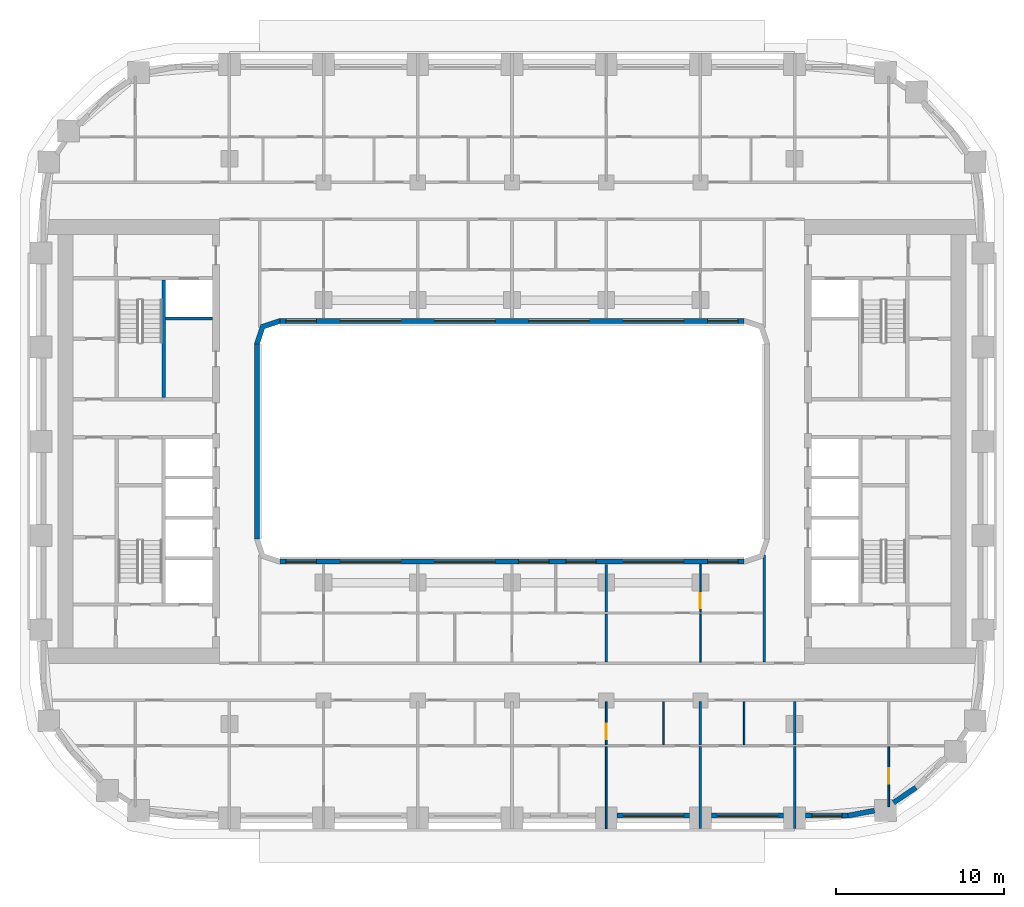
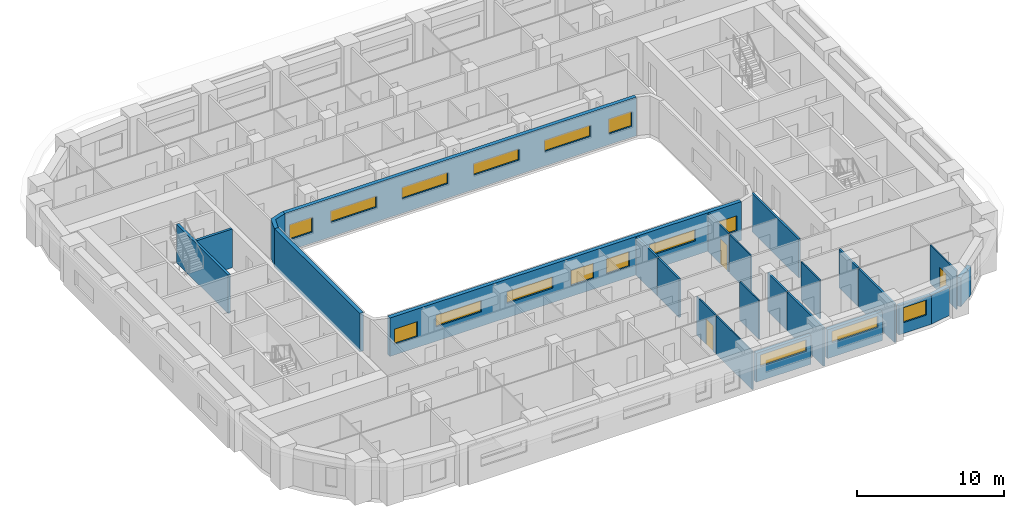
# One storey, part 5 of 21: 25 walls, 16 windows, 3 doors, 19 openings.
"""IFC4 building model written with IfcOpenShell, lengths in metres."""

from ifc_helpers import new_model, si_unit, direction, frame, frame_2d, origin, place, context, subcontext, project, spatial, polyline, rectangle, outline, extrude, material, layer, layer_set, type_object, element, fill, save


model = new_model("IFC4")

# Units and contexts
model_context = context("Model", 3, precision=1e-05, world=origin(), true_north=direction((0.0, 1.0)))
body_context = subcontext(model_context, "Body", "Model", "MODEL_VIEW")
ifc_project = project(units=[si_unit("LENGTHUNIT", "METRE"), si_unit("AREAUNIT", "SQUARE_METRE"), si_unit("VOLUMEUNIT", "CUBIC_METRE"), si_unit("PLANEANGLEUNIT", "RADIAN"), si_unit("MASSUNIT", "GRAM", prefix="KILO")], contexts=[model_context])

# Site, building, storey
site_placement = place(None, origin())
site = spatial("IfcSite", under=ifc_project, at=site_placement, CompositionType="ELEMENT")
building_placement = place(site_placement, origin())
building = spatial("IfcBuilding", under=site, at=building_placement, Name="Kiln Ring Residences", CompositionType="ELEMENT")
storey_placement = place(building_placement, frame((0.0, 0.0, 100.800048828125)))
storey = spatial("IfcBuildingStorey", under=building, at=storey_placement, Name="L25", CompositionType="ELEMENT", Elevation=100.800048828125)

# Walls
ifc_material_1 = material(Name="Gypsum shaft wall system")
ifc_layer_1 = layer(ifc_material_1, 0.199951171875)
ifc_layer_set_1 = layer_set([ifc_layer_1], Name="CORE-SHAFT-WALL-200")
wall_type_1 = type_object("IfcWallType", Name="CORE-SHAFT-WALL-200", PredefinedType="PARTITIONING", material=ifc_layer_set_1)
wall_1_placement = place(storey_placement, frame((-17.800048828125, 7.300048828125, 0.0), z_axis=(0.0, 0.0, 1.0), x_axis=(-1.0, 0.0, 0.0)))
element("IfcWall", 1, at=wall_1_placement, inside=storey, type_object=wall_type_1, Name="Core partition west L25 12", PredefinedType="PARTITIONING", context=body_context, shape_type="SweptSolid", body=[
    extrude(rectangle(XDim=2.800048828125, YDim=0.199951171875, at=frame_2d((1.39990234375, 0.0))), origin(), (0.0, 0.0, 1.0), 3.199951171875),
])
ifc_material_2 = material(Name="Concrete C40/50", Category="concrete")
ifc_layer_2 = layer(ifc_material_2, 0.199951171875)
ifc_layer_set_2 = layer_set([ifc_layer_2], Name="CORE-WALL-RC200")
wall_type_2 = type_object("IfcWallType", Name="CORE-WALL-RC200", PredefinedType="SHEAR", material=ifc_layer_set_2)
wall_2_placement = place(storey_placement, frame((-20.699951171875, 2.60009765625, 0.0), z_axis=(0.0, 0.0, 1.0), x_axis=(0.0, 1.0, 0.0)))
element("IfcWall", 2, at=wall_2_placement, inside=storey, type_object=wall_type_2, Name="Core wall west L25 1", PredefinedType="SHEAR", context=body_context, shape_type="SweptSolid", body=[
    extrude(rectangle(XDim=7.0, YDim=0.199951171875, at=frame_2d((3.5, 0.0))), origin(), (0.0, 0.0, 1.0), 3.199951171875),
])

# Wall, opening, window
ifc_material_3 = material(Name="Brick masonry, dark clay brick", Category="masonry")
ifc_layer_3 = layer(ifc_material_3, 0.300048828125)
ifc_layer_set_3 = layer_set([ifc_layer_3], Name="EW-300 BRICK WALL")
wall_type_3 = type_object("IfcWallType", Name="EW-300 BRICK WALL", PredefinedType="SOLIDWALL", material=ifc_layer_set_3)
wall_3_placement = place(storey_placement, frame((6.25, -22.25, 0.0), z_axis=(0.0, 0.0, 1.0), x_axis=(1.0, 0.0, 0.0)))
wall_3 = element("IfcWall", 3, at=wall_3_placement, inside=storey, type_object=wall_type_3, Name="Facade wall L25 9", PredefinedType="SOLIDWALL", context=body_context, shape_type="SweptSolid", body=[
    extrude(rectangle(XDim=4.300048828125, YDim=0.300048828125, at=frame_2d((2.14990234375, 0.0))), origin(), (0.0, 0.0, 1.0), 2.39990234375),
])
opening_1_placement = place(wall_3_placement, frame((0.35009765625, 0.0, 1.199951171875)))
opening_1 = element("IfcOpeningElement", 4, at=opening_1_placement, cuts=wall_3, Name="Opening W4", PredefinedType="OPENING", context=body_context, shape_type="SweptSolid", body=[
    extrude(rectangle(XDim=3.60009765625, YDim=0.949951171875, at=frame_2d((1.800048828125, 0.47509765625))), frame((0.0, 0.159912109375, 0.0), z_axis=(0.0, -1.0, 0.0), x_axis=(1.0, 0.0, 0.0)), (0.0, 0.0, 1.0), 0.320068359375),
])
ifc_material_4 = material(Name="Aluminium frame with double glazing", Category="aluminium")
window_type_1 = type_object("IfcWindowType", Name="WINDOW 3600 x 950", PartitioningType="SINGLE_PANEL", PredefinedType="WINDOW", material=ifc_material_4)
window_1_placement = place(opening_1_placement, origin())
window_1 = element("IfcWindow", 5, at=window_1_placement, inside=storey, type_object=window_type_1, Name="Window L25 8", OverallHeight=0.949951171875, OverallWidth=3.60009765625, PartitioningType="SINGLE_PANEL", PredefinedType="WINDOW", context=body_context, shape_type="SweptSolid", body=[
    extrude(rectangle(XDim=3.60009765625, YDim=0.949951171875, at=frame_2d((1.800048828125, 0.47509765625))), frame((0.0, 0.030029296875, 0.0), z_axis=(0.0, -1.0, 0.0), x_axis=(1.0, 0.0, 0.0)), (0.0, 0.0, 1.0), 0.06005859375),
])
fill(opening_1, window_1)

wall_4_placement = place(storey_placement, frame((11.85009765625, -22.25, 0.0), z_axis=(0.0, 0.0, 1.0), x_axis=(1.0, 0.0, 0.0)))
wall_4 = element("IfcWall", 6, at=wall_4_placement, inside=storey, type_object=wall_type_3, Name="Facade wall L25 10", PredefinedType="SOLIDWALL", context=body_context, shape_type="SweptSolid", body=[
    extrude(rectangle(XDim=4.2998046875, YDim=0.300048828125, at=frame_2d((2.14990234375, 0.0))), origin(), (0.0, 0.0, 1.0), 2.39990234375),
])
opening_2_placement = place(wall_4_placement, frame((0.35009765625, 0.0, 1.199951171875)))
opening_2 = element("IfcOpeningElement", 7, at=opening_2_placement, cuts=wall_4, Name="Opening W4", PredefinedType="OPENING", context=body_context, shape_type="SweptSolid", body=[
    extrude(rectangle(XDim=3.60009765625, YDim=0.949951171875, at=frame_2d((1.800048828125, 0.47509765625))), frame((0.0, 0.159912109375, 0.0), z_axis=(0.0, -1.0, 0.0), x_axis=(1.0, 0.0, 0.0)), (0.0, 0.0, 1.0), 0.320068359375),
])
window_2_placement = place(opening_2_placement, origin())
window_2 = element("IfcWindow", 8, at=window_2_placement, inside=storey, type_object=window_type_1, Name="Window L25 9", OverallHeight=0.949951171875, OverallWidth=3.60009765625, PartitioningType="SINGLE_PANEL", PredefinedType="WINDOW", context=body_context, shape_type="SweptSolid", body=[
    extrude(rectangle(XDim=3.60009765625, YDim=0.949951171875, at=frame_2d((1.800048828125, 0.47509765625))), frame((0.0, 0.030029296875, 0.0), z_axis=(0.0, -1.0, 0.0), x_axis=(1.0, 0.0, 0.0)), (0.0, 0.0, 1.0), 0.06005859375),
])
fill(opening_2, window_2)

wall_5_placement = place(storey_placement, frame((17.449951171875, -22.25, 0.0), z_axis=(0.0, 0.0, 1.0), x_axis=(1.0, 0.0, 0.0)))
wall_5 = element("IfcWall", 9, at=wall_5_placement, inside=storey, type_object=wall_type_3, Name="Facade wall L25 11", PredefinedType="SOLIDWALL", context=body_context, shape_type="SweptSolid", body=[
    extrude(rectangle(XDim=2.550048828125, YDim=0.300048828125, at=frame_2d((1.27490234375, 0.0))), origin(), (0.0, 0.0, 1.0), 2.39990234375),
])
opening_3_placement = place(wall_5_placement, frame((0.375, 0.0, 0.89990234375)))
opening_3 = element("IfcOpeningElement", 10, at=opening_3_placement, cuts=wall_5, Name="Opening W2", PredefinedType="OPENING", context=body_context, shape_type="SweptSolid", body=[
    extrude(rectangle(XDim=1.800048828125, YDim=1.25, at=frame_2d((0.89990234375, 0.625))), frame((0.0, 0.159912109375, 0.0), z_axis=(0.0, -1.0, 0.0), x_axis=(1.0, 0.0, 0.0)), (0.0, 0.0, 1.0), 0.320068359375),
])
ifc_material_5 = material(Name="Aluminium frame with double glazing", Category="aluminium")
window_type_2 = type_object("IfcWindowType", Name="WINDOW 1800 x 1250", PartitioningType="SINGLE_PANEL", PredefinedType="WINDOW", material=ifc_material_5)
window_3_placement = place(opening_3_placement, origin())
window_3 = element("IfcWindow", 11, at=window_3_placement, inside=storey, type_object=window_type_2, Name="Window L25 10", OverallHeight=1.25, OverallWidth=1.800048828125, PartitioningType="SINGLE_PANEL", PredefinedType="WINDOW", context=body_context, shape_type="SweptSolid", body=[
    extrude(rectangle(XDim=1.800048828125, YDim=1.25, at=frame_2d((0.89990234375, 0.625))), frame((0.0, 0.030029296875, 0.0), z_axis=(0.0, -1.0, 0.0), x_axis=(1.0, 0.0, 0.0)), (0.0, 0.0, 1.0), 0.06005859375),
])
fill(opening_3, window_3)

# Walls
for number, where, z_axis, x_axis, name in (
    (12, (19.971923828125, -22.252685546875, 0.0), (0.0, 0.0, 1.0), (0.982278644094, 0.187426426519, 0.0), "Facade wall L25 12"),
    (13, (22.684326171875, -21.481689453125, 0.0), (0.0, 0.0, 1.0), (0.82705935865, 0.562114594429, 0.0), "Facade wall L25 13"),
):
    element("IfcWall", number, at=place(storey_placement, frame(where, z_axis=z_axis, x_axis=x_axis)), inside=storey, type_object=wall_type_3, Name=name, PredefinedType="SOLIDWALL", context=body_context, shape_type="SweptSolid", body=[
        extrude(rectangle(XDim=1.606201171875, YDim=0.300048828125, at=frame_2d((0.80322265625, 0.0))), origin(), (0.0, 0.0, 1.0), 2.39990234375),
    ])
wall_6_placement = place(storey_placement, frame((-15.14990234375, -5.800048828125, 0.0), z_axis=(0.0, 0.0, 1.0), x_axis=(0.0, 1.0, 0.0)))
element("IfcWall", 14, at=wall_6_placement, inside=storey, type_object=wall_type_3, Name="Facade wall L25 49", PredefinedType="SOLIDWALL", context=body_context, shape_type="SweptSolid", body=[
    extrude(rectangle(XDim=11.60009765625, YDim=0.300048828125, at=frame_2d((5.800048828125, 0.0))), origin(), (0.0, 0.0, 1.0), 3.199951171875),
])

# Wall, openings, windows
wall_7_placement = place(storey_placement, frame((-13.800048828125, 7.14990234375, 0.0), z_axis=(0.0, 0.0, 1.0), x_axis=(1.0, 0.0, 0.0)))
wall_7 = element("IfcWall", 15, at=wall_7_placement, inside=storey, type_object=wall_type_3, Name="Facade wall L25 50", PredefinedType="SOLIDWALL", context=body_context, shape_type="SweptSolid", body=[
    extrude(rectangle(XDim=27.60009765625, YDim=0.300048828125, at=frame_2d((13.800048828125, 0.0))), origin(), (0.0, 0.0, 1.0), 3.199951171875),
])
opening_4_placement = place(wall_7_placement, frame((0.362548828125, 0.0, 0.89990234375)))
opening_4 = element("IfcOpeningElement", 16, at=opening_4_placement, cuts=wall_7, Name="Opening W2", PredefinedType="OPENING", context=body_context, shape_type="SweptSolid", body=[
    extrude(rectangle(XDim=1.800048828125, YDim=1.25, at=frame_2d((0.89990234375, 0.625))), frame((0.0, 0.159912109375, 0.0), z_axis=(0.0, -1.0, 0.0), x_axis=(1.0, 0.0, 0.0)), (0.0, 0.0, 1.0), 0.320068359375),
])
opening_5_placement = place(wall_7_placement, frame((3.60009765625, 0.0, 1.199951171875)))
opening_5 = element("IfcOpeningElement", 17, at=opening_5_placement, cuts=wall_7, Name="Opening W4", PredefinedType="OPENING", context=body_context, shape_type="SweptSolid", body=[
    extrude(rectangle(XDim=3.60009765625, YDim=0.949951171875, at=frame_2d((1.800048828125, 0.47509765625))), frame((0.0, 0.159912109375, 0.0), z_axis=(0.0, -1.0, 0.0), x_axis=(1.0, 0.0, 0.0)), (0.0, 0.0, 1.0), 0.320068359375),
])
opening_6_placement = place(wall_7_placement, frame((9.199951171875, 0.0, 1.199951171875)))
opening_6 = element("IfcOpeningElement", 18, at=opening_6_placement, cuts=wall_7, Name="Opening W4", PredefinedType="OPENING", context=body_context, shape_type="SweptSolid", body=[
    extrude(rectangle(XDim=3.60009765625, YDim=0.949951171875, at=frame_2d((1.800048828125, 0.47509765625))), frame((0.0, 0.159912109375, 0.0), z_axis=(0.0, -1.0, 0.0), x_axis=(1.0, 0.0, 0.0)), (0.0, 0.0, 1.0), 0.320068359375),
])
opening_7_placement = place(wall_7_placement, frame((14.800048828125, 0.0, 1.199951171875)))
opening_7 = element("IfcOpeningElement", 19, at=opening_7_placement, cuts=wall_7, Name="Opening W4", PredefinedType="OPENING", context=body_context, shape_type="SweptSolid", body=[
    extrude(rectangle(XDim=3.60009765625, YDim=0.949951171875, at=frame_2d((1.800048828125, 0.47509765625))), frame((0.0, 0.159912109375, 0.0), z_axis=(0.0, -1.0, 0.0), x_axis=(1.0, 0.0, 0.0)), (0.0, 0.0, 1.0), 0.320068359375),
])
opening_8_placement = place(wall_7_placement, frame((20.39990234375, 0.0, 1.199951171875)))
opening_8 = element("IfcOpeningElement", 20, at=opening_8_placement, cuts=wall_7, Name="Opening W4", PredefinedType="OPENING", context=body_context, shape_type="SweptSolid", body=[
    extrude(rectangle(XDim=3.60009765625, YDim=0.949951171875, at=frame_2d((1.800048828125, 0.47509765625))), frame((0.0, 0.159912109375, 0.0), z_axis=(0.0, -1.0, 0.0), x_axis=(1.0, 0.0, 0.0)), (0.0, 0.0, 1.0), 0.320068359375),
])
opening_9_placement = place(wall_7_placement, frame((25.4375, 0.0, 0.89990234375)))
opening_9 = element("IfcOpeningElement", 21, at=opening_9_placement, cuts=wall_7, Name="Opening W2", PredefinedType="OPENING", context=body_context, shape_type="SweptSolid", body=[
    extrude(rectangle(XDim=1.800048828125, YDim=1.25, at=frame_2d((0.89990234375, 0.625))), frame((0.0, 0.159912109375, 0.0), z_axis=(0.0, -1.0, 0.0), x_axis=(1.0, 0.0, 0.0)), (0.0, 0.0, 1.0), 0.320068359375),
])
window_4_placement = place(opening_4_placement, origin())
window_4 = element("IfcWindow", 22, at=window_4_placement, inside=storey, type_object=window_type_2, Name="Window L25 22", OverallHeight=1.25, OverallWidth=1.800048828125, PartitioningType="SINGLE_PANEL", PredefinedType="WINDOW", context=body_context, shape_type="SweptSolid", body=[
    extrude(rectangle(XDim=1.800048828125, YDim=1.25, at=frame_2d((0.89990234375, 0.625))), frame((0.0, 0.030029296875, 0.0), z_axis=(0.0, -1.0, 0.0), x_axis=(1.0, 0.0, 0.0)), (0.0, 0.0, 1.0), 0.06005859375),
])
fill(opening_4, window_4)
window_5_placement = place(opening_9_placement, origin())
window_5 = element("IfcWindow", 23, at=window_5_placement, inside=storey, type_object=window_type_2, Name="Window L25 27", OverallHeight=1.25, OverallWidth=1.800048828125, PartitioningType="SINGLE_PANEL", PredefinedType="WINDOW", context=body_context, shape_type="SweptSolid", body=[
    extrude(rectangle(XDim=1.800048828125, YDim=1.25, at=frame_2d((0.89990234375, 0.625))), frame((0.0, 0.030029296875, 0.0), z_axis=(0.0, -1.0, 0.0), x_axis=(1.0, 0.0, 0.0)), (0.0, 0.0, 1.0), 0.06005859375),
])
fill(opening_9, window_5)
window_6_placement = place(opening_5_placement, origin())
window_6 = element("IfcWindow", 24, at=window_6_placement, inside=storey, type_object=window_type_1, Name="Window L25 23", OverallHeight=0.949951171875, OverallWidth=3.60009765625, PartitioningType="SINGLE_PANEL", PredefinedType="WINDOW", context=body_context, shape_type="SweptSolid", body=[
    extrude(rectangle(XDim=3.60009765625, YDim=0.949951171875, at=frame_2d((1.800048828125, 0.47509765625))), frame((0.0, 0.030029296875, 0.0), z_axis=(0.0, -1.0, 0.0), x_axis=(1.0, 0.0, 0.0)), (0.0, 0.0, 1.0), 0.06005859375),
])
fill(opening_5, window_6)
window_7_placement = place(opening_6_placement, origin())
window_7 = element("IfcWindow", 25, at=window_7_placement, inside=storey, type_object=window_type_1, Name="Window L25 24", OverallHeight=0.949951171875, OverallWidth=3.60009765625, PartitioningType="SINGLE_PANEL", PredefinedType="WINDOW", context=body_context, shape_type="SweptSolid", body=[
    extrude(rectangle(XDim=3.60009765625, YDim=0.949951171875, at=frame_2d((1.800048828125, 0.47509765625))), frame((0.0, 0.030029296875, 0.0), z_axis=(0.0, -1.0, 0.0), x_axis=(1.0, 0.0, 0.0)), (0.0, 0.0, 1.0), 0.06005859375),
])
fill(opening_6, window_7)
window_8_placement = place(opening_7_placement, origin())
window_8 = element("IfcWindow", 26, at=window_8_placement, inside=storey, type_object=window_type_1, Name="Window L25 25", OverallHeight=0.949951171875, OverallWidth=3.60009765625, PartitioningType="SINGLE_PANEL", PredefinedType="WINDOW", context=body_context, shape_type="SweptSolid", body=[
    extrude(rectangle(XDim=3.60009765625, YDim=0.949951171875, at=frame_2d((1.800048828125, 0.47509765625))), frame((0.0, 0.030029296875, 0.0), z_axis=(0.0, -1.0, 0.0), x_axis=(1.0, 0.0, 0.0)), (0.0, 0.0, 1.0), 0.06005859375),
])
fill(opening_7, window_8)
window_9_placement = place(opening_8_placement, origin())
window_9 = element("IfcWindow", 27, at=window_9_placement, inside=storey, type_object=window_type_1, Name="Window L25 26", OverallHeight=0.949951171875, OverallWidth=3.60009765625, PartitioningType="SINGLE_PANEL", PredefinedType="WINDOW", context=body_context, shape_type="SweptSolid", body=[
    extrude(rectangle(XDim=3.60009765625, YDim=0.949951171875, at=frame_2d((1.800048828125, 0.47509765625))), frame((0.0, 0.030029296875, 0.0), z_axis=(0.0, -1.0, 0.0), x_axis=(1.0, 0.0, 0.0)), (0.0, 0.0, 1.0), 0.06005859375),
])
fill(opening_8, window_9)

wall_8_placement = place(storey_placement, frame((13.800048828125, -7.14990234375, 0.0), z_axis=(0.0, 0.0, 1.0), x_axis=(-1.0, 0.0, 0.0)))
wall_8 = element("IfcWall", 28, at=wall_8_placement, inside=storey, type_object=wall_type_3, Name="Facade wall L25 52", PredefinedType="SOLIDWALL", context=body_context, shape_type="SweptSolid", body=[
    extrude(rectangle(XDim=27.60009765625, YDim=0.300048828125, at=frame_2d((13.800048828125, 0.0))), origin(), (0.0, 0.0, 1.0), 3.199951171875),
])
opening_10_placement = place(wall_8_placement, frame((0.362548828125, 0.0, 0.89990234375)))
opening_10 = element("IfcOpeningElement", 29, at=opening_10_placement, cuts=wall_8, Name="Opening W2", PredefinedType="OPENING", context=body_context, shape_type="SweptSolid", body=[
    extrude(rectangle(XDim=1.800048828125, YDim=1.25, at=frame_2d((0.89990234375, 0.625))), frame((0.0, 0.159912109375, 0.0), z_axis=(0.0, -1.0, 0.0), x_axis=(1.0, 0.0, 0.0)), (0.0, 0.0, 1.0), 0.320068359375),
])
opening_11_placement = place(wall_8_placement, frame((3.60009765625, 0.0, 1.199951171875)))
opening_11 = element("IfcOpeningElement", 30, at=opening_11_placement, cuts=wall_8, Name="Opening W4", PredefinedType="OPENING", context=body_context, shape_type="SweptSolid", body=[
    extrude(rectangle(XDim=3.60009765625, YDim=0.949951171875, at=frame_2d((1.800048828125, 0.47509765625))), frame((0.0, 0.159912109375, 0.0), z_axis=(0.0, -1.0, 0.0), x_axis=(1.0, 0.0, 0.0)), (0.0, 0.0, 1.0), 0.320068359375),
])
opening_12_placement = place(wall_8_placement, frame((8.800048828125, 0.0, 0.89990234375)))
opening_12 = element("IfcOpeningElement", 31, at=opening_12_placement, cuts=wall_8, Name="Opening W2", PredefinedType="OPENING", context=body_context, shape_type="SweptSolid", body=[
    extrude(rectangle(XDim=1.800048828125, YDim=1.25, at=frame_2d((0.89990234375, 0.625))), frame((0.0, 0.159912109375, 0.0), z_axis=(0.0, -1.0, 0.0), x_axis=(1.0, 0.0, 0.0)), (0.0, 0.0, 1.0), 0.320068359375),
])
opening_13_placement = place(wall_8_placement, frame((11.60009765625, 0.0, 0.89990234375)))
opening_13 = element("IfcOpeningElement", 32, at=opening_13_placement, cuts=wall_8, Name="Opening W2", PredefinedType="OPENING", context=body_context, shape_type="SweptSolid", body=[
    extrude(rectangle(XDim=1.800048828125, YDim=1.25, at=frame_2d((0.89990234375, 0.625))), frame((0.0, 0.159912109375, 0.0), z_axis=(0.0, -1.0, 0.0), x_axis=(1.0, 0.0, 0.0)), (0.0, 0.0, 1.0), 0.320068359375),
])
opening_14_placement = place(wall_8_placement, frame((14.800048828125, 0.0, 1.199951171875)))
opening_14 = element("IfcOpeningElement", 33, at=opening_14_placement, cuts=wall_8, Name="Opening W4", PredefinedType="OPENING", context=body_context, shape_type="SweptSolid", body=[
    extrude(rectangle(XDim=3.60009765625, YDim=0.949951171875, at=frame_2d((1.800048828125, 0.47509765625))), frame((0.0, 0.159912109375, 0.0), z_axis=(0.0, -1.0, 0.0), x_axis=(1.0, 0.0, 0.0)), (0.0, 0.0, 1.0), 0.320068359375),
])
opening_15_placement = place(wall_8_placement, frame((20.39990234375, 0.0, 1.199951171875)))
opening_15 = element("IfcOpeningElement", 34, at=opening_15_placement, cuts=wall_8, Name="Opening W4", PredefinedType="OPENING", context=body_context, shape_type="SweptSolid", body=[
    extrude(rectangle(XDim=3.60009765625, YDim=0.949951171875, at=frame_2d((1.800048828125, 0.47509765625))), frame((0.0, 0.159912109375, 0.0), z_axis=(0.0, -1.0, 0.0), x_axis=(1.0, 0.0, 0.0)), (0.0, 0.0, 1.0), 0.320068359375),
])
opening_16_placement = place(wall_8_placement, frame((25.4375, 0.0, 0.89990234375)))
opening_16 = element("IfcOpeningElement", 35, at=opening_16_placement, cuts=wall_8, Name="Opening W2", PredefinedType="OPENING", context=body_context, shape_type="SweptSolid", body=[
    extrude(rectangle(XDim=1.800048828125, YDim=1.25, at=frame_2d((0.89990234375, 0.625))), frame((0.0, 0.159912109375, 0.0), z_axis=(0.0, -1.0, 0.0), x_axis=(1.0, 0.0, 0.0)), (0.0, 0.0, 1.0), 0.320068359375),
])
window_10_placement = place(opening_10_placement, origin())
window_10 = element("IfcWindow", 36, at=window_10_placement, inside=storey, type_object=window_type_2, Name="Window L25 28", OverallHeight=1.25, OverallWidth=1.800048828125, PartitioningType="SINGLE_PANEL", PredefinedType="WINDOW", context=body_context, shape_type="SweptSolid", body=[
    extrude(rectangle(XDim=1.800048828125, YDim=1.25, at=frame_2d((0.89990234375, 0.625))), frame((0.0, 0.030029296875, 0.0), z_axis=(0.0, -1.0, 0.0), x_axis=(1.0, 0.0, 0.0)), (0.0, 0.0, 1.0), 0.06005859375),
])
fill(opening_10, window_10)
window_11_placement = place(opening_12_placement, origin())
window_11 = element("IfcWindow", 37, at=window_11_placement, inside=storey, type_object=window_type_2, Name="Window L25 30", OverallHeight=1.25, OverallWidth=1.800048828125, PartitioningType="SINGLE_PANEL", PredefinedType="WINDOW", context=body_context, shape_type="SweptSolid", body=[
    extrude(rectangle(XDim=1.800048828125, YDim=1.25, at=frame_2d((0.89990234375, 0.625))), frame((0.0, 0.030029296875, 0.0), z_axis=(0.0, -1.0, 0.0), x_axis=(1.0, 0.0, 0.0)), (0.0, 0.0, 1.0), 0.06005859375),
])
fill(opening_12, window_11)
window_12_placement = place(opening_13_placement, origin())
window_12 = element("IfcWindow", 38, at=window_12_placement, inside=storey, type_object=window_type_2, Name="Window L25 31", OverallHeight=1.25, OverallWidth=1.800048828125, PartitioningType="SINGLE_PANEL", PredefinedType="WINDOW", context=body_context, shape_type="SweptSolid", body=[
    extrude(rectangle(XDim=1.800048828125, YDim=1.25, at=frame_2d((0.89990234375, 0.625))), frame((0.0, 0.030029296875, 0.0), z_axis=(0.0, -1.0, 0.0), x_axis=(1.0, 0.0, 0.0)), (0.0, 0.0, 1.0), 0.06005859375),
])
fill(opening_13, window_12)
window_13_placement = place(opening_16_placement, origin())
window_13 = element("IfcWindow", 39, at=window_13_placement, inside=storey, type_object=window_type_2, Name="Window L25 34", OverallHeight=1.25, OverallWidth=1.800048828125, PartitioningType="SINGLE_PANEL", PredefinedType="WINDOW", context=body_context, shape_type="SweptSolid", body=[
    extrude(rectangle(XDim=1.800048828125, YDim=1.25, at=frame_2d((0.89990234375, 0.625))), frame((0.0, 0.030029296875, 0.0), z_axis=(0.0, -1.0, 0.0), x_axis=(1.0, 0.0, 0.0)), (0.0, 0.0, 1.0), 0.06005859375),
])
fill(opening_16, window_13)
window_14_placement = place(opening_11_placement, origin())
window_14 = element("IfcWindow", 40, at=window_14_placement, inside=storey, type_object=window_type_1, Name="Window L25 29", OverallHeight=0.949951171875, OverallWidth=3.60009765625, PartitioningType="SINGLE_PANEL", PredefinedType="WINDOW", context=body_context, shape_type="SweptSolid", body=[
    extrude(rectangle(XDim=3.60009765625, YDim=0.949951171875, at=frame_2d((1.800048828125, 0.47509765625))), frame((0.0, 0.030029296875, 0.0), z_axis=(0.0, -1.0, 0.0), x_axis=(1.0, 0.0, 0.0)), (0.0, 0.0, 1.0), 0.06005859375),
])
fill(opening_11, window_14)
window_15_placement = place(opening_14_placement, origin())
window_15 = element("IfcWindow", 41, at=window_15_placement, inside=storey, type_object=window_type_1, Name="Window L25 32", OverallHeight=0.949951171875, OverallWidth=3.60009765625, PartitioningType="SINGLE_PANEL", PredefinedType="WINDOW", context=body_context, shape_type="SweptSolid", body=[
    extrude(rectangle(XDim=3.60009765625, YDim=0.949951171875, at=frame_2d((1.800048828125, 0.47509765625))), frame((0.0, 0.030029296875, 0.0), z_axis=(0.0, -1.0, 0.0), x_axis=(1.0, 0.0, 0.0)), (0.0, 0.0, 1.0), 0.06005859375),
])
fill(opening_14, window_15)
window_16_placement = place(opening_15_placement, origin())
window_16 = element("IfcWindow", 42, at=window_16_placement, inside=storey, type_object=window_type_1, Name="Window L25 33", OverallHeight=0.949951171875, OverallWidth=3.60009765625, PartitioningType="SINGLE_PANEL", PredefinedType="WINDOW", context=body_context, shape_type="SweptSolid", body=[
    extrude(rectangle(XDim=3.60009765625, YDim=0.949951171875, at=frame_2d((1.800048828125, 0.47509765625))), frame((0.0, 0.030029296875, 0.0), z_axis=(0.0, -1.0, 0.0), x_axis=(1.0, 0.0, 0.0)), (0.0, 0.0, 1.0), 0.06005859375),
])
fill(opening_15, window_16)

# Walls
wall_9_placement = place(storey_placement, origin())
element("IfcWall", 43, at=wall_9_placement, inside=storey, type_object=wall_type_3, Name="Corner wall L25 1", PredefinedType="SOLIDWALL", context=body_context, shape_type="SweptSolid", body=[
    extrude(outline(polyline([(-13.8486328125, 7.300048828125), (-14.937255859375, 6.937255859375), (-15.300048828125, 5.8486328125), (-15.300048828125, 5.800048828125), (-15.0, 5.800048828125), (-14.699951171875, 6.699951171875), (-13.800048828125, 7.0), (-13.800048828125, 7.300048828125), (-13.8486328125, 7.300048828125)])), origin(), (0.0, 0.0, 1.0), 3.199951171875),
])
ifc_material_6 = material(Name="Gypsum board on steel studs", Category="steel")
ifc_layer_4 = layer(ifc_material_6, 0.10009765625)
ifc_layer_set_4 = layer_set([ifc_layer_4], Name="PARTITION-100")
wall_type_4 = type_object("IfcWallType", Name="PARTITION-100", PredefinedType="PARTITIONING", material=ifc_layer_set_4)
wall_10_placement = place(storey_placement, frame((5.60009765625, -23.030029296875, 0.0), z_axis=(0.0, 0.0, 1.0), x_axis=(0.0, 1.0, 0.0)))
element("IfcWall", 44, at=wall_10_placement, inside=storey, type_object=wall_type_4, Name="Partition 051", PredefinedType="PARTITIONING", context=body_context, shape_type="SweptSolid", body=[
    extrude(rectangle(XDim=4.880126953125, YDim=0.10009765625, at=frame_2d((2.43994140625, 0.0))), origin(), (0.0, 0.0, 1.0), 3.199951171875),
])

# Wall, opening, door
wall_11_placement = place(storey_placement, frame((5.60009765625, -18.050048828125, 0.0), z_axis=(0.0, 0.0, 1.0), x_axis=(0.0, 1.0, 0.0)))
wall_11 = element("IfcWall", 45, at=wall_11_placement, inside=storey, type_object=wall_type_4, Name="Partition 052", PredefinedType="PARTITIONING", context=body_context, shape_type="SweptSolid", body=[
    extrude(rectangle(XDim=2.574951171875, YDim=0.10009765625, at=frame_2d((1.28759765625, 0.0))), origin(), (0.0, 0.0, 1.0), 3.199951171875),
])
opening_17_placement = place(wall_11_placement, frame((0.35009765625, 0.0, 0.0)))
opening_17 = element("IfcOpeningElement", 46, at=opening_17_placement, cuts=wall_11, Name="Opening L25-D069", PredefinedType="OPENING", context=body_context, shape_type="SweptSolid", body=[
    extrude(rectangle(XDim=0.89990234375, YDim=2.10009765625, at=frame_2d((0.449951171875, 1.050048828125))), frame((0.0, 0.06005859375, 0.0), z_axis=(0.0, -1.0, 0.0), x_axis=(1.0, 0.0, 0.0)), (0.0, 0.0, 1.0), 0.1201171875),
])
ifc_material_7 = material(Name="Timber door leaf", Category="wood")
door_type = type_object("IfcDoorType", Name="FLAT-DOOR-900-PL", OperationType="SINGLE_SWING_LEFT", PredefinedType="DOOR", material=ifc_material_7)
door_1_placement = place(opening_17_placement, origin())
door_1 = element("IfcDoor", 47, at=door_1_placement, inside=storey, type_object=door_type, Name="Door L25-D069", OperationType="SINGLE_SWING_LEFT", OverallHeight=2.10009765625, OverallWidth=0.89990234375, PredefinedType="DOOR", context=body_context, shape_type="SweptSolid", body=[
    extrude(rectangle(XDim=0.89990234375, YDim=2.10009765625, at=frame_2d((0.449951171875, 1.050048828125))), frame((0.0, 0.02490234375, 0.0), z_axis=(0.0, -1.0, 0.0), x_axis=(1.0, 0.0, 0.0)), (0.0, 0.0, 1.0), 0.050048828125),
])
fill(opening_17, door_1)

# Walls
wall_12_placement = place(storey_placement, frame((9.0, -18.050048828125, 0.0), z_axis=(0.0, 0.0, 1.0), x_axis=(0.0, 1.0, 0.0)))
element("IfcWall", 48, at=wall_12_placement, inside=storey, type_object=wall_type_4, Name="Partition 059", PredefinedType="PARTITIONING", context=body_context, shape_type="SweptSolid", body=[
    extrude(rectangle(XDim=2.574951171875, YDim=0.10009765625, at=frame_2d((1.28759765625, 0.0))), origin(), (0.0, 0.0, 1.0), 3.199951171875),
])
wall_13_placement = place(storey_placement, frame((11.199951171875, -13.125, 0.0), z_axis=(0.0, 0.0, 1.0), x_axis=(0.0, 1.0, 0.0)))
element("IfcWall", 49, at=wall_13_placement, inside=storey, type_object=wall_type_4, Name="Partition 060", PredefinedType="PARTITIONING", context=body_context, shape_type="SweptSolid", body=[
    extrude(rectangle(XDim=2.875, YDim=0.10009765625, at=frame_2d((1.4375, 0.0))), origin(), (0.0, 0.0, 1.0), 3.199951171875),
])

# Wall, opening, door
wall_14_placement = place(storey_placement, frame((11.199951171875, -10.14990234375, 0.0), z_axis=(0.0, 0.0, 1.0), x_axis=(0.0, 1.0, 0.0)))
wall_14 = element("IfcWall", 50, at=wall_14_placement, inside=storey, type_object=wall_type_4, Name="Partition 061", PredefinedType="PARTITIONING", context=body_context, shape_type="SweptSolid", body=[
    extrude(rectangle(XDim=2.829833984375, YDim=0.10009765625, at=frame_2d((1.4150390625, 0.0))), origin(), (0.0, 0.0, 1.0), 3.199951171875),
])
opening_18_placement = place(wall_14_placement, frame((0.22998046875, 0.0, 0.0)))
opening_18 = element("IfcOpeningElement", 51, at=opening_18_placement, cuts=wall_14, Name="Opening L25-D056", PredefinedType="OPENING", context=body_context, shape_type="SweptSolid", body=[
    extrude(rectangle(XDim=0.89990234375, YDim=2.10009765625, at=frame_2d((0.449951171875, 1.050048828125))), frame((0.0, 0.06005859375, 0.0), z_axis=(0.0, -1.0, 0.0), x_axis=(1.0, 0.0, 0.0)), (0.0, 0.0, 1.0), 0.1201171875),
])
door_2_placement = place(opening_18_placement, origin())
door_2 = element("IfcDoor", 52, at=door_2_placement, inside=storey, type_object=door_type, Name="Door L25-D056", OperationType="SINGLE_SWING_RIGHT", OverallHeight=2.10009765625, OverallWidth=0.89990234375, PredefinedType="DOOR", context=body_context, shape_type="SweptSolid", body=[
    extrude(rectangle(XDim=0.89990234375, YDim=2.10009765625, at=frame_2d((0.449951171875, 1.050048828125))), frame((0.0, 0.02490234375, 0.0), z_axis=(0.0, -1.0, 0.0), x_axis=(1.0, 0.0, 0.0)), (0.0, 0.0, 1.0), 0.050048828125),
])
fill(opening_18, door_2)

# Wall
wall_15_placement = place(storey_placement, frame((13.800048828125, -18.050048828125, 0.0), z_axis=(0.0, 0.0, 1.0), x_axis=(0.0, 1.0, 0.0)))
element("IfcWall", 53, at=wall_15_placement, inside=storey, type_object=wall_type_4, Name="Partition 068", PredefinedType="PARTITIONING", context=body_context, shape_type="SweptSolid", body=[
    extrude(rectangle(XDim=2.574951171875, YDim=0.10009765625, at=frame_2d((1.28759765625, 0.0))), origin(), (0.0, 0.0, 1.0), 3.199951171875),
])

# Wall, opening, door
wall_16_placement = place(storey_placement, frame((22.39990234375, -21.719970703125, 0.0), z_axis=(0.0, 0.0, 1.0), x_axis=(0.0, 1.0, 0.0)))
wall_16 = element("IfcWall", 54, at=wall_16_placement, inside=storey, type_object=wall_type_4, Name="Partition 076", PredefinedType="PARTITIONING", context=body_context, shape_type="SweptSolid", body=[
    extrude(rectangle(XDim=3.570068359375, YDim=0.10009765625, at=frame_2d((1.78515625, 0.0))), origin(), (0.0, 0.0, 1.0), 3.199951171875),
])
opening_19_placement = place(wall_16_placement, frame((1.3720703125, 0.0, 0.0)))
opening_19 = element("IfcOpeningElement", 55, at=opening_19_placement, cuts=wall_16, Name="Opening L25-D080", PredefinedType="OPENING", context=body_context, shape_type="SweptSolid", body=[
    extrude(rectangle(XDim=0.89990234375, YDim=2.10009765625, at=frame_2d((0.449951171875, 1.050048828125))), frame((0.0, 0.06005859375, 0.0), z_axis=(0.0, -1.0, 0.0), x_axis=(1.0, 0.0, 0.0)), (0.0, 0.0, 1.0), 0.1201171875),
])
door_3_placement = place(opening_19_placement, origin())
door_3 = element("IfcDoor", 56, at=door_3_placement, inside=storey, type_object=door_type, Name="Door L25-D080", OperationType="SINGLE_SWING_RIGHT", OverallHeight=2.10009765625, OverallWidth=0.89990234375, PredefinedType="DOOR", context=body_context, shape_type="SweptSolid", body=[
    extrude(rectangle(XDim=0.89990234375, YDim=2.10009765625, at=frame_2d((0.449951171875, 1.050048828125))), frame((0.0, 0.02490234375, 0.0), z_axis=(0.0, -1.0, 0.0), x_axis=(1.0, 0.0, 0.0)), (0.0, 0.0, 1.0), 0.050048828125),
])
fill(opening_19, door_3)

# Walls
ifc_material_8 = material(Name="Brick masonry partition", Category="masonry")
ifc_layer_5 = layer(ifc_material_8, 0.14990234375)
ifc_layer_set_5 = layer_set([ifc_layer_5], Name="PARTITION-150-ei60")
wall_type_5 = type_object("IfcWallType", Name="PARTITION-150-ei60", PredefinedType="PARTITIONING", material=ifc_layer_set_5)
wall_17_placement = place(storey_placement, frame((5.60009765625, -13.125, 0.0), z_axis=(0.0, 0.0, 1.0), x_axis=(0.0, 1.0, 0.0)))
element("IfcWall", 57, at=wall_17_placement, inside=storey, type_object=wall_type_5, Name="Partition 055", PredefinedType="PARTITIONING", context=body_context, shape_type="SweptSolid", body=[
    extrude(rectangle(XDim=2.875, YDim=0.14990234375, at=frame_2d((1.4375, 0.0))), origin(), (0.0, 0.0, 1.0), 3.199951171875),
])
wall_18_placement = place(storey_placement, frame((5.60009765625, -10.14990234375, 0.0), z_axis=(0.0, 0.0, 1.0), x_axis=(0.0, 1.0, 0.0)))
element("IfcWall", 58, at=wall_18_placement, inside=storey, type_object=wall_type_5, Name="Partition 056", PredefinedType="PARTITIONING", context=body_context, shape_type="SweptSolid", body=[
    extrude(rectangle(XDim=2.829833984375, YDim=0.14990234375, at=frame_2d((1.4150390625, 0.0))), origin(), (0.0, 0.0, 1.0), 3.199951171875),
])
wall_19_placement = place(storey_placement, frame((11.199951171875, -23.030029296875, 0.0), z_axis=(0.0, 0.0, 1.0), x_axis=(0.0, 1.0, 0.0)))
element("IfcWall", 59, at=wall_19_placement, inside=storey, type_object=wall_type_5, Name="Partition 064", PredefinedType="PARTITIONING", context=body_context, shape_type="SweptSolid", body=[
    extrude(rectangle(XDim=4.880126953125, YDim=0.14990234375, at=frame_2d((2.43994140625, 0.0))), origin(), (0.0, 0.0, 1.0), 3.199951171875),
])
wall_20_placement = place(storey_placement, frame((11.199951171875, -18.050048828125, 0.0), z_axis=(0.0, 0.0, 1.0), x_axis=(0.0, 1.0, 0.0)))
element("IfcWall", 60, at=wall_20_placement, inside=storey, type_object=wall_type_5, Name="Partition 065", PredefinedType="PARTITIONING", context=body_context, shape_type="SweptSolid", body=[
    extrude(rectangle(XDim=2.574951171875, YDim=0.14990234375, at=frame_2d((1.28759765625, 0.0))), origin(), (0.0, 0.0, 1.0), 3.199951171875),
])
wall_21_placement = place(storey_placement, frame((15.0, -13.125, 0.0), z_axis=(0.0, 0.0, 1.0), x_axis=(0.0, 1.0, 0.0)))
element("IfcWall", 61, at=wall_21_placement, inside=storey, type_object=wall_type_5, Name="Partition 070", PredefinedType="PARTITIONING", context=body_context, shape_type="SweptSolid", body=[
    extrude(rectangle(XDim=6.356201171875, YDim=0.14990234375, at=frame_2d((3.17822265625, 0.0))), origin(), (0.0, 0.0, 1.0), 3.199951171875),
])
wall_22_placement = place(storey_placement, frame((16.800048828125, -23.030029296875, 0.0), z_axis=(0.0, 0.0, 1.0), x_axis=(0.0, 1.0, 0.0)))
element("IfcWall", 62, at=wall_22_placement, inside=storey, type_object=wall_type_5, Name="Partition 072", PredefinedType="PARTITIONING", context=body_context, shape_type="SweptSolid", body=[
    extrude(rectangle(XDim=4.880126953125, YDim=0.14990234375, at=frame_2d((2.43994140625, 0.0))), origin(), (0.0, 0.0, 1.0), 3.199951171875),
])
wall_23_placement = place(storey_placement, frame((16.800048828125, -18.050048828125, 0.0), z_axis=(0.0, 0.0, 1.0), x_axis=(0.0, 1.0, 0.0)))
element("IfcWall", 63, at=wall_23_placement, inside=storey, type_object=wall_type_5, Name="Partition 073", PredefinedType="PARTITIONING", context=body_context, shape_type="SweptSolid", body=[
    extrude(rectangle(XDim=2.574951171875, YDim=0.14990234375, at=frame_2d((1.28759765625, 0.0))), origin(), (0.0, 0.0, 1.0), 3.199951171875),
])

save(model, "model.ifc")
